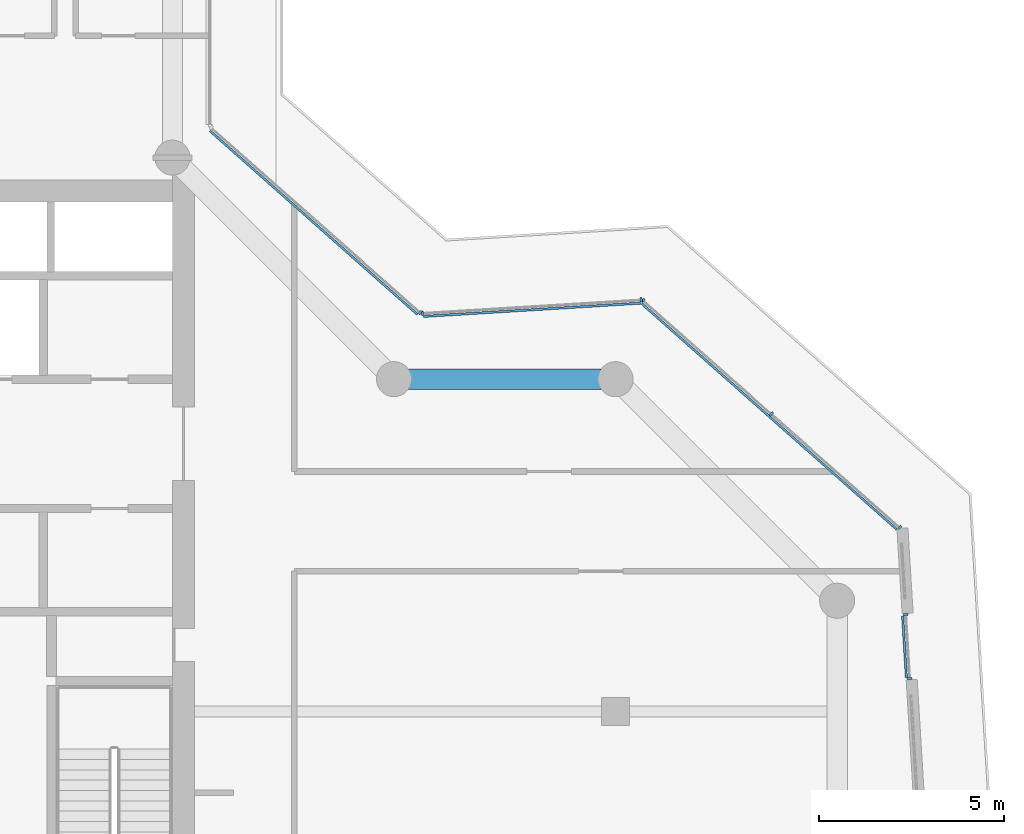
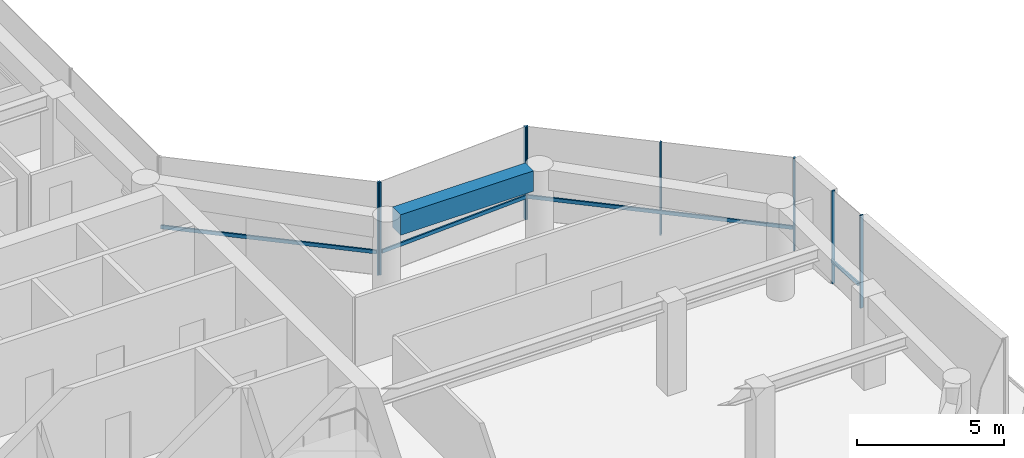
# One storey, part 8 of 21: 12 members, 1 beam, 4 elements without a shape of their own.
"""IFC4 building model written with IfcOpenShell, lengths in metres."""

from ifc_helpers import new_model, si_unit, direction, frame, origin, origin_2d, place, context, subcontext, project, spatial, rectangle, extrude, material, layer, layer_set, material_profile, profile_set, type_object, element, aggregate, save


model = new_model("IFC4")

# Units and contexts
model_context = context("Model", 3, precision=1e-05, world=origin(), true_north=direction((0.0, 1.0)))
body_context = subcontext(model_context, "Body", "Model", "MODEL_VIEW")
ifc_project = project(units=[si_unit("LENGTHUNIT", "METRE"), si_unit("AREAUNIT", "SQUARE_METRE"), si_unit("VOLUMEUNIT", "CUBIC_METRE"), si_unit("PLANEANGLEUNIT", "RADIAN"), si_unit("MASSUNIT", "GRAM", prefix="KILO")], contexts=[model_context])

# Site, building, storey
site_placement = place(None, origin())
site = spatial("IfcSite", under=ifc_project, at=site_placement, CompositionType="ELEMENT")
building_placement = place(site_placement, origin())
building = spatial("IfcBuilding", under=site, at=building_placement, Name="Welwitschia Terrace Campus", CompositionType="ELEMENT")
storey_placement = place(building_placement, frame((0.0, 0.0, 184.39990234375)))
storey = spatial("IfcBuildingStorey", under=building, at=storey_placement, Name="L41", CompositionType="ELEMENT", Elevation=184.39990234375)

# Curtain wall, members
ifc_material_1 = material(Name="Bronze anodised aluminium", Category="aluminium")
ifc_layer = layer(ifc_material_1, 0.1201171875)
ifc_layer_set = layer_set([ifc_layer], Name="Bronze anodised aluminium")
curtain_wall_type = type_object("IfcCurtainWallType", Name="Curtain wall CW2 tower 6000", PredefinedType="NOTDEFINED", material=ifc_layer_set)
curtain_wall_1_placement = place(storey_placement, origin())
curtain_wall_1 = element("IfcCurtainWall", 1, at=curtain_wall_1_placement, inside=storey, type_object=curtain_wall_type, Name="CW L41.3.S0", PredefinedType="NOTDEFINED")
ifc_material_2 = material(Name="Bronze anodised aluminium", Category="aluminium")
ifc_material_profile_1 = material_profile(ifc_material_2, rectangle(XDim=0.1201171875, YDim=0.06005859375, at=origin_2d()))
ifc_profile_set_1 = profile_set([ifc_material_profile_1], Name="Bronze anodised aluminium")
member_type_1 = type_object("IfcMemberType", Name="Mullion 60x120", PredefinedType="MULLION", material=ifc_profile_set_1)
member_1_placement = place(storey_placement, frame((43.967041015625, 11.888427734375, 0.0), z_axis=(0.0, 0.0, 1.0), x_axis=(-0.998134798422, -0.061048539535, 0.0)))
member_1 = element("IfcMember", 2, at=member_1_placement, type_object=member_type_1, Name="Mullion L41.3.S0.0", PredefinedType="MULLION", context=body_context, shape_type="SweptSolid", body=[
    extrude(rectangle(XDim=0.1201171875, YDim=0.06005859375, at=origin_2d()), origin(), (0.0, 0.0, 1.0), 3.85009765625),
])
member_2_placement = place(storey_placement, frame((43.86083984375, 13.625, 0.0), z_axis=(0.0, 0.0, 1.0), x_axis=(-0.998134798422, -0.061048539535, 0.0)))
member_2 = element("IfcMember", 3, at=member_2_placement, type_object=member_type_1, Name="Mullion L41.3.S0.1", PredefinedType="MULLION", context=body_context, shape_type="SweptSolid", body=[
    extrude(rectangle(XDim=0.1201171875, YDim=0.06005859375, at=origin_2d()), origin(), (0.0, 0.0, 1.0), 3.85009765625),
])

curtain_wall_2_placement = place(storey_placement, origin())
curtain_wall_2 = element("IfcCurtainWall", 4, at=curtain_wall_2_placement, inside=storey, type_object=curtain_wall_type, Name="CW L41.4.0", PredefinedType="NOTDEFINED")
member_3_placement = place(storey_placement, frame((43.6953125, 15.98388671875, 0.0), z_axis=(0.0, 0.0, 1.0), x_axis=(-0.662620048216, -0.748955720789, 0.0)))
member_3 = element("IfcMember", 5, at=member_3_placement, type_object=member_type_1, Name="Mullion L41.4.0.0", PredefinedType="MULLION", context=body_context, shape_type="SweptSolid", body=[
    extrude(rectangle(XDim=0.1201171875, YDim=0.06005859375, at=origin_2d()), origin(), (0.0, 0.0, 1.0), 3.85009765625),
])
member_4_placement = place(storey_placement, frame((40.220703125, 19.05810546875, 0.0), z_axis=(0.0, 0.0, 1.0), x_axis=(-0.662620048216, -0.748955720789, 0.0)))
member_4 = element("IfcMember", 6, at=member_4_placement, type_object=member_type_1, Name="Mullion L41.4.0.1", PredefinedType="MULLION", context=body_context, shape_type="SweptSolid", body=[
    extrude(rectangle(XDim=0.1201171875, YDim=0.06005859375, at=origin_2d()), origin(), (0.0, 0.0, 1.0), 3.85009765625),
])
member_5_placement = place(storey_placement, frame((36.74609375, 22.132080078125, 0.0), z_axis=(0.0, 0.0, 1.0), x_axis=(-0.662620048216, -0.748955720789, 0.0)))
member_5 = element("IfcMember", 7, at=member_5_placement, type_object=member_type_1, Name="Mullion L41.4.0.2", PredefinedType="MULLION", context=body_context, shape_type="SweptSolid", body=[
    extrude(rectangle(XDim=0.1201171875, YDim=0.06005859375, at=origin_2d()), origin(), (0.0, 0.0, 1.0), 3.85009765625),
])

curtain_wall_3_placement = place(storey_placement, origin())
curtain_wall_3 = element("IfcCurtainWall", 8, at=curtain_wall_3_placement, inside=storey, type_object=curtain_wall_type, Name="CW L41.5.0", PredefinedType="NOTDEFINED")
member_6_placement = place(storey_placement, frame((36.693603515625, 22.150146484375, 0.0), z_axis=(0.0, 0.0, 1.0), x_axis=(0.061048539535, -0.998134798422, 0.0)))
member_6 = element("IfcMember", 9, at=member_6_placement, type_object=member_type_1, Name="Mullion L41.5.0.0", PredefinedType="MULLION", context=body_context, shape_type="SweptSolid", body=[
    extrude(rectangle(XDim=0.1201171875, YDim=0.06005859375, at=origin_2d()), origin(), (0.0, 0.0, 1.0), 3.85009765625),
])
member_7_placement = place(storey_placement, frame((30.7646484375, 21.78759765625, 0.0), z_axis=(0.0, 0.0, 1.0), x_axis=(0.061048539535, -0.998134798422, 0.0)))
member_7 = element("IfcMember", 10, at=member_7_placement, type_object=member_type_1, Name="Mullion L41.5.0.1", PredefinedType="MULLION", context=body_context, shape_type="SweptSolid", body=[
    extrude(rectangle(XDim=0.1201171875, YDim=0.06005859375, at=origin_2d()), origin(), (0.0, 0.0, 1.0), 3.85009765625),
])

# Curtain wall, member
curtain_wall_4_placement = place(storey_placement, origin())
curtain_wall_4 = element("IfcCurtainWall", 11, at=curtain_wall_4_placement, inside=storey, type_object=curtain_wall_type, Name="CW L41.6.0", PredefinedType="NOTDEFINED")
member_8_placement = place(storey_placement, frame((30.712158203125, 21.8056640625, 0.0), z_axis=(0.0, 0.0, 1.0), x_axis=(-0.662620048216, -0.748955720789, 0.0)))
member_8 = element("IfcMember", 12, at=member_8_placement, type_object=member_type_1, Name="Mullion L41.6.0.0", PredefinedType="MULLION", context=body_context, shape_type="SweptSolid", body=[
    extrude(rectangle(XDim=0.1201171875, YDim=0.06005859375, at=origin_2d()), origin(), (0.0, 0.0, 1.0), 3.85009765625),
])

# Beam
ifc_material_3 = material(Name="Concrete C50/60", Category="concrete")
ifc_material_profile_2 = material_profile(ifc_material_3, rectangle(XDim=0.550048828125, YDim=0.85009765625, at=origin_2d()))
ifc_profile_set_2 = profile_set([ifc_material_profile_2], Name="Concrete C50/60")
beam_type = type_object("IfcBeamType", Name="Ring spandrel 550x850", PredefinedType="SPANDREL", material=ifc_profile_set_2)
beam_placement = place(storey_placement, frame((35.612060546875, 20.0, 3.425048828125), z_axis=(-1.0, 0.0, 0.0), x_axis=(0.0, -1.0, 0.0)))
element("IfcBeam", 13, at=beam_placement, inside=storey, type_object=beam_type, Name="Spandrel SP3", PredefinedType="SPANDREL", context=body_context, shape_type="SweptSolid", body=[
    extrude(rectangle(XDim=0.550048828125, YDim=0.85009765625, at=origin_2d()), origin(), (0.0, 0.0, 1.0), 5.22412109375),
])

# Member
ifc_material_4 = material(Name="Bronze anodised aluminium", Category="aluminium")
ifc_material_profile_3 = material_profile(ifc_material_4, rectangle(XDim=0.06005859375, YDim=0.14990234375, at=origin_2d()))
ifc_profile_set_3 = profile_set([ifc_material_profile_3], Name="Bronze anodised aluminium")
member_type_2 = type_object("IfcMemberType", Name="Transom 60x150", PredefinedType="USERDEFINED", material=ifc_profile_set_3)
member_9_placement = place(storey_placement, frame((43.875244140625, 11.912841796875, 1.0), z_axis=(-0.061039146275, 0.998135372894, 0.0), x_axis=(-0.998135372894, -0.061039146275, 0.0)))
member_9 = element("IfcMember", 14, at=member_9_placement, type_object=member_type_2, Name="Transom L41.3.S0", ObjectType="TRANSOM", PredefinedType="USERDEFINED", context=body_context, shape_type="SweptSolid", body=[
    extrude(rectangle(XDim=0.06005859375, YDim=0.14990234375, at=origin_2d()), origin(), (0.0, 0.0, 1.0), 1.679931640625),
])

aggregate(curtain_wall_1, [member_1, member_2, member_9])

member_10_placement = place(storey_placement, frame((43.613037109375, 15.936279296875, 1.0), z_axis=(-0.748956121412, 0.662619595394, 0.0), x_axis=(-0.662619595394, -0.748956121412, 0.0)))
member_10 = element("IfcMember", 15, at=member_10_placement, type_object=member_type_2, Name="Transom L41.4.0", ObjectType="TRANSOM", PredefinedType="USERDEFINED", context=body_context, shape_type="SweptSolid", body=[
    extrude(rectangle(XDim=0.06005859375, YDim=0.14990234375, at=origin_2d()), origin(), (0.0, 0.0, 1.0), 9.218505859375),
])

aggregate(curtain_wall_2, [member_3, member_4, member_5, member_10])

member_11_placement = place(storey_placement, frame((36.669189453125, 22.058349609375, 1.0), z_axis=(-0.998135682268, -0.06103408706, 0.0), x_axis=(0.06103408706, -0.998135682268, 0.0)))
member_11 = element("IfcMember", 16, at=member_11_placement, type_object=member_type_2, Name="Transom L41.5.0", ObjectType="TRANSOM", PredefinedType="USERDEFINED", context=body_context, shape_type="SweptSolid", body=[
    extrude(rectangle(XDim=0.06005859375, YDim=0.14990234375, at=origin_2d()), origin(), (0.0, 0.0, 1.0), 5.880126953125),
])

aggregate(curtain_wall_3, [member_6, member_7, member_11])

member_12_placement = place(storey_placement, frame((30.630126953125, 21.758056640625, 1.0), z_axis=(-0.74895429265, 0.66262166243, 0.0), x_axis=(-0.66262166243, -0.74895429265, 0.0)))
member_12 = element("IfcMember", 17, at=member_12_placement, type_object=member_type_2, Name="Transom L41.6.0", ObjectType="TRANSOM", PredefinedType="USERDEFINED", context=body_context, shape_type="SweptSolid", body=[
    extrude(rectangle(XDim=0.06005859375, YDim=0.14990234375, at=origin_2d()), origin(), (0.0, 0.0, 1.0), 7.496826171875),
])

aggregate(curtain_wall_4, [member_8, member_12])

save(model, "model.ifc")
